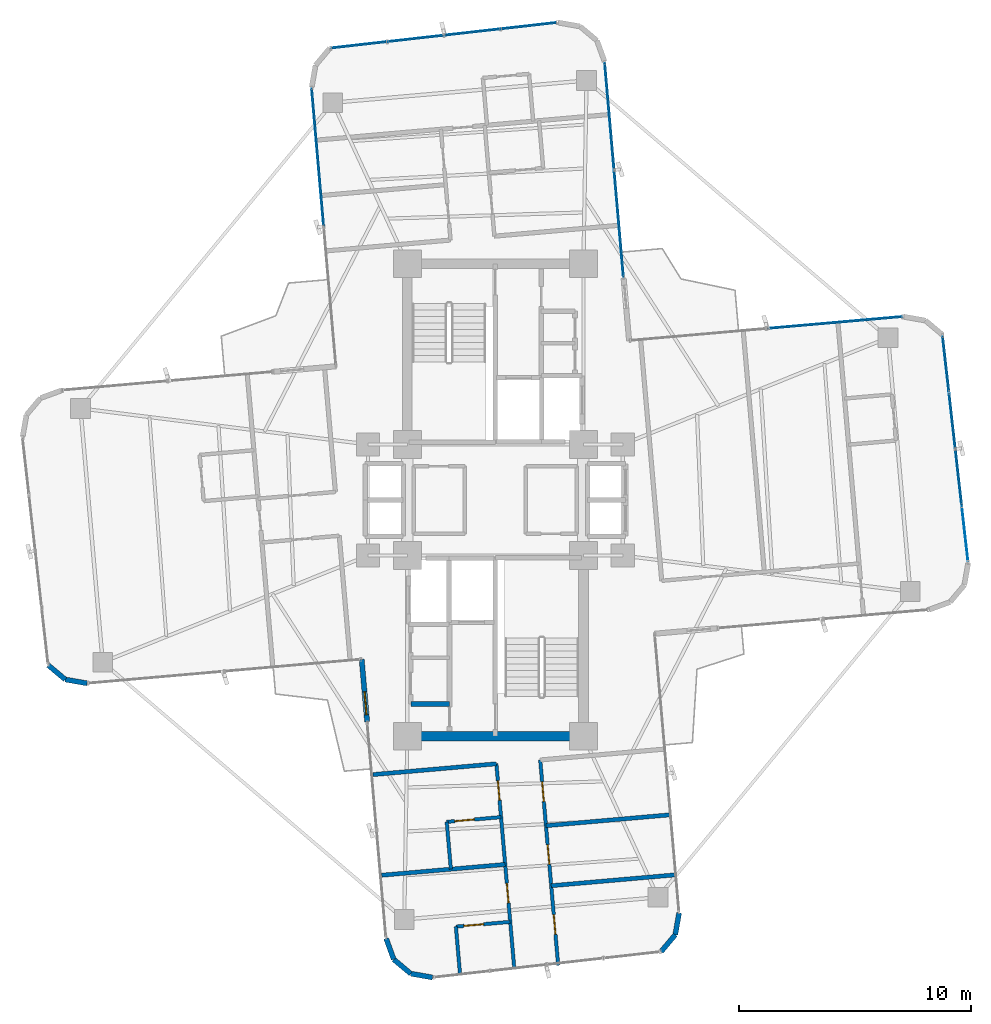
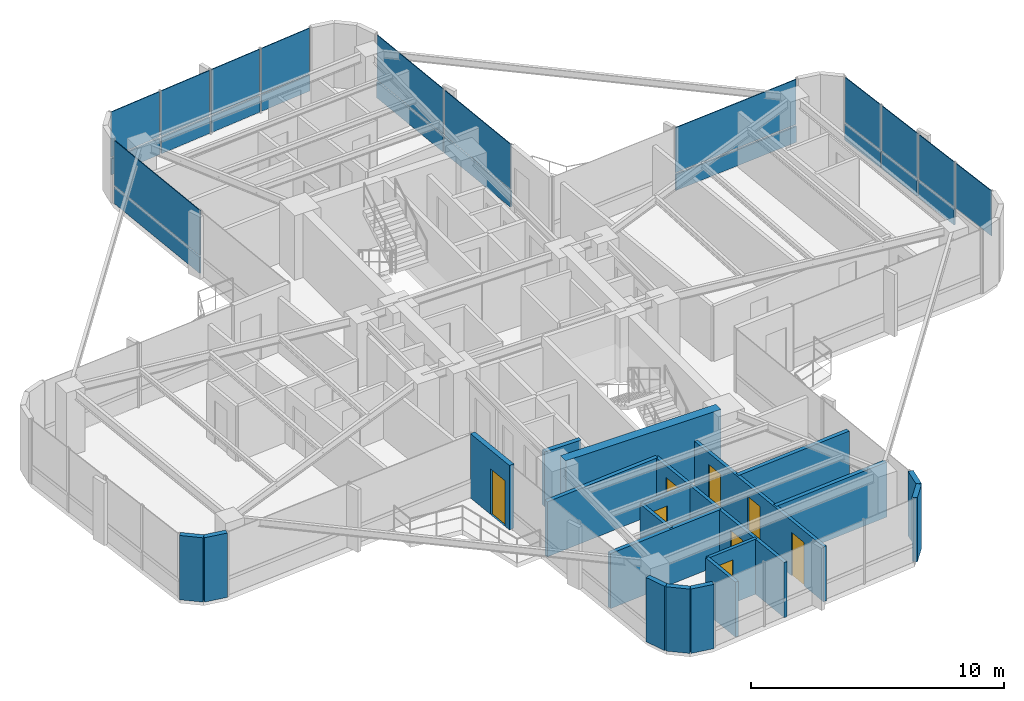
# One storey, part 20 of 24: 23 plates, 20 walls, 8 doors, 8 openings, 5 elements without a shape of their own.
"""IFC4 building model written with IfcOpenShell, lengths in metres."""

from ifc_helpers import new_model, si_unit, direction, frame, frame_2d, origin, origin_2d, place, context, subcontext, project, spatial, rectangle, extrude, source, transform, mapped, material, layer, layer_set, type_object, element, fill, aggregate, save


model = new_model("IFC4")

# Units and contexts
model_context = context("Model", 3, precision=1e-05, world=origin(), true_north=direction((0.0, 1.0)))
body_context = subcontext(model_context, "Body", "Model", "MODEL_VIEW")
ifc_project = project(units=[si_unit("LENGTHUNIT", "METRE"), si_unit("AREAUNIT", "SQUARE_METRE"), si_unit("VOLUMEUNIT", "CUBIC_METRE"), si_unit("PLANEANGLEUNIT", "RADIAN"), si_unit("MASSUNIT", "GRAM", prefix="KILO")], contexts=[model_context])

# Site, building, storey
site_placement = place(None, origin())
site = spatial("IfcSite", under=ifc_project, at=site_placement, CompositionType="ELEMENT")
building_placement = place(site_placement, origin())
building = spatial("IfcBuilding", under=site, at=building_placement, Name="Sahyath Konkavel Grand Hotel", CompositionType="ELEMENT")
storey_placement = place(building_placement, frame((0.0, 0.0, 181.89990234375)))
storey = spatial("IfcBuildingStorey", under=building, at=storey_placement, Name="L50", CompositionType="ELEMENT", Elevation=181.89990234375)

# Curtain wall, plates
ifc_material_1 = material(Name="Anodised Bronze Aluminium & Low-E Glazing", Category="aluminium")
curtain_wall_type = type_object("IfcCurtainWallType", Name="CW-ZONE3", PredefinedType="NOTDEFINED", material=ifc_material_1)
curtain_wall_1_placement = place(storey_placement, origin())
curtain_wall_1 = element("IfcCurtainWall", 1, at=curtain_wall_1_placement, inside=storey, type_object=curtain_wall_type, Name="L50 Unitised Curtain Wall F4", PredefinedType="NOTDEFINED")
ifc_material_2 = material(Name="Warm Buff Sandstone Cladding", Category="masonry")
ifc_layer_1 = layer(ifc_material_2, 0.074951171875)
ifc_layer_set_1 = layer_set([ifc_layer_1], Name="Warm Buff Sandstone Cladding")
plate_type_1 = type_object("IfcPlateType", Name="PNL-SPANDREL-STONE", PredefinedType="SHEET", material=ifc_layer_set_1)
shared_shape_1 = source(origin(), body_context, "Body", "SweptSolid", [
    extrude(rectangle(XDim=2.382080078125, YDim=0.074951171875, at=origin_2d()), origin(), (0.0, 0.0, 1.0), 0.77001953125),
])
plate_1_placement = place(storey_placement, frame((19.99755859375, 0.978515625, 0.0400390625), z_axis=(0.0, 0.0, 1.0), x_axis=(-0.111989252568, 0.993709417943, 0.0)))
plate_1 = element("IfcPlate", 2, at=plate_1_placement, type_object=plate_type_1, Name="L50 Sandstone Relief Spandrel Panel F4-1", PredefinedType="SHEET", context=body_context, shape_type="MappedRepresentation", body=[
    mapped(shared_shape_1, transform((0.0, 0.0, 0.0), scale=1.0)),
])
plate_2_placement = place(storey_placement, frame((19.7216796875, 3.425048828125, 0.0400390625), z_axis=(0.0, 0.0, 1.0), x_axis=(-0.111989252568, 0.993709417943, 0.0)))
plate_2 = element("IfcPlate", 3, at=plate_2_placement, type_object=plate_type_1, Name="L50 Sandstone Relief Spandrel Panel F4-2", PredefinedType="SHEET", context=body_context, shape_type="MappedRepresentation", body=[
    mapped(shared_shape_1, transform((0.0, 0.0, 0.0), scale=1.0)),
])
plate_3_placement = place(storey_placement, frame((19.446044921875, 5.87158203125, 0.0400390625), z_axis=(0.0, 0.0, 1.0), x_axis=(-0.111989252568, 0.993709417943, 0.0)))
plate_3 = element("IfcPlate", 4, at=plate_3_placement, type_object=plate_type_1, Name="L50 Sandstone Relief Spandrel Panel F4-3", PredefinedType="SHEET", context=body_context, shape_type="MappedRepresentation", body=[
    mapped(shared_shape_1, transform((0.0, 0.0, 0.0), scale=1.0)),
])

curtain_wall_2_placement = place(storey_placement, origin())
curtain_wall_2 = element("IfcCurtainWall", 5, at=curtain_wall_2_placement, inside=storey, type_object=curtain_wall_type, Name="L50 Unitised Curtain Wall F12", PredefinedType="NOTDEFINED")
plate_4_placement = place(storey_placement, frame((1.45068359375, 20.47265625, 0.0400390625), z_axis=(0.0, 0.0, 1.0), x_axis=(-0.993707463211, -0.112006596052, 0.0)))
plate_4 = element("IfcPlate", 6, at=plate_4_placement, type_object=plate_type_1, Name="L50 Sandstone Relief Spandrel Panel F12-0", PredefinedType="SHEET", context=body_context, shape_type="MappedRepresentation", body=[
    mapped(shared_shape_1, transform((0.0, 0.0, 0.0), scale=1.0)),
])
plate_5_placement = place(storey_placement, frame((-0.995849609375, 20.197021484375, 0.0400390625), z_axis=(0.0, 0.0, 1.0), x_axis=(-0.993707463211, -0.112006596052, 0.0)))
plate_5 = element("IfcPlate", 7, at=plate_5_placement, type_object=plate_type_1, Name="L50 Sandstone Relief Spandrel Panel F12-1", PredefinedType="SHEET", context=body_context, shape_type="MappedRepresentation", body=[
    mapped(shared_shape_1, transform((0.0, 0.0, 0.0), scale=1.0)),
])
plate_6_placement = place(storey_placement, frame((-3.4423828125, 19.921142578125, 0.0400390625), z_axis=(0.0, 0.0, 1.0), x_axis=(-0.993707463211, -0.112006596052, 0.0)))
plate_6 = element("IfcPlate", 8, at=plate_6_placement, type_object=plate_type_1, Name="L50 Sandstone Relief Spandrel Panel F12-2", PredefinedType="SHEET", context=body_context, shape_type="MappedRepresentation", body=[
    mapped(shared_shape_1, transform((0.0, 0.0, 0.0), scale=1.0)),
])
plate_7_placement = place(storey_placement, frame((-5.888916015625, 19.6455078125, 0.0400390625), z_axis=(0.0, 0.0, 1.0), x_axis=(-0.993707463211, -0.112006596052, 0.0)))
plate_7 = element("IfcPlate", 9, at=plate_7_placement, type_object=plate_type_1, Name="L50 Sandstone Relief Spandrel Panel F12-3", PredefinedType="SHEET", context=body_context, shape_type="MappedRepresentation", body=[
    mapped(shared_shape_1, transform((0.0, 0.0, 0.0), scale=1.0)),
])

# Curtain wall, plate
curtain_wall_3_placement = place(storey_placement, origin())
curtain_wall_3 = element("IfcCurtainWall", 10, at=curtain_wall_3_placement, inside=storey, type_object=curtain_wall_type, Name="L50 Unitised Curtain Wall F7", PredefinedType="NOTDEFINED")
shared_shape_2 = source(origin(), body_context, "Body", "SweptSolid", [
    extrude(rectangle(XDim=5.830078125, YDim=0.074951171875, at=origin_2d()), origin(), (0.0, 0.0, 1.0), 0.77001953125),
])
plate_8_placement = place(storey_placement, frame((14.6435546875, 7.655517578125, 0.0400390625), z_axis=(0.0, 0.0, 1.0), x_axis=(-0.996194698092, -0.087155742748, 0.0)))
plate_8 = element("IfcPlate", 11, at=plate_8_placement, type_object=plate_type_1, Name="L50 Sandstone Relief Spandrel Panel F7-0", PredefinedType="SHEET", context=body_context, shape_type="MappedRepresentation", body=[
    mapped(shared_shape_2, transform((0.0, 0.0, 0.0), scale=1.0)),
])

# Curtain wall, plates
curtain_wall_4_placement = place(storey_placement, origin())
curtain_wall_4 = element("IfcCurtainWall", 12, at=curtain_wall_4_placement, inside=storey, type_object=curtain_wall_type, Name="L50 Unitised Curtain Wall F8", PredefinedType="NOTDEFINED")
shared_shape_3 = source(origin(), body_context, "Body", "SweptSolid", [
    extrude(rectangle(XDim=4.580078125, YDim=0.074951171875, at=origin_2d()), origin(), (0.0, 0.0, 1.0), 0.77001953125),
])
plate_9_placement = place(storey_placement, frame((5.33056640625, 11.929931640625, 0.0400390625), z_axis=(0.0, 0.0, 1.0), x_axis=(-0.087155742748, 0.996194698092, 0.0)))
plate_9 = element("IfcPlate", 13, at=plate_9_placement, type_object=plate_type_1, Name="L50 Sandstone Relief Spandrel Panel F8-0", PredefinedType="SHEET", context=body_context, shape_type="MappedRepresentation", body=[
    mapped(shared_shape_3, transform((0.0, 0.0, 0.0), scale=1.0)),
])
plate_10_placement = place(storey_placement, frame((4.92431640625, 16.572265625, 0.0400390625), z_axis=(0.0, 0.0, 1.0), x_axis=(-0.087155742748, 0.996194698092, 0.0)))
plate_10 = element("IfcPlate", 14, at=plate_10_placement, type_object=plate_type_1, Name="L50 Sandstone Relief Spandrel Panel F8-1", PredefinedType="SHEET", context=body_context, shape_type="MappedRepresentation", body=[
    mapped(shared_shape_3, transform((0.0, 0.0, 0.0), scale=1.0)),
])

# Curtain wall, plate
curtain_wall_5_placement = place(storey_placement, origin())
curtain_wall_5 = element("IfcCurtainWall", 15, at=curtain_wall_5_placement, inside=storey, type_object=curtain_wall_type, Name="L50 Unitised Curtain Wall F15", PredefinedType="NOTDEFINED")
shared_shape_4 = source(origin(), body_context, "Body", "SweptSolid", [
    extrude(rectangle(XDim=5.929931640625, YDim=0.074951171875, at=origin_2d()), origin(), (0.0, 0.0, 1.0), 0.77001953125),
])
plate_11_placement = place(storey_placement, frame((-7.66845703125, 14.79296875, 0.0400390625), z_axis=(0.0, 0.0, 1.0), x_axis=(0.087155742748, -0.996194698092, 0.0)))
plate_11 = element("IfcPlate", 16, at=plate_11_placement, type_object=plate_type_1, Name="L50 Sandstone Relief Spandrel Panel F15-0", PredefinedType="SHEET", context=body_context, shape_type="MappedRepresentation", body=[
    mapped(shared_shape_4, transform((0.0, 0.0, 0.0), scale=1.0)),
])

# Plate
ifc_material_3 = material(Name="Low-E Solar Control Double Glazing", Category="glass")
ifc_layer_2 = layer(ifc_material_3, 0.035888671875)
ifc_layer_set_2 = layer_set([ifc_layer_2], Name="Low-E Solar Control Double Glazing")
plate_type_2 = type_object("IfcPlateType", Name="PNL-VISION-LOWE", PredefinedType="CURTAIN_PANEL", material=ifc_layer_set_2)
shared_shape_5 = source(origin(), body_context, "Body", "SweptSolid", [
    extrude(rectangle(XDim=2.382080078125, YDim=0.035888671875, at=origin_2d()), origin(), (0.0, 0.0, 1.0), 2.179931640625),
])
plate_12_placement = place(storey_placement, frame((20.2734375, -1.468017578125, 0.89013671875), z_axis=(0.0, 0.0, 1.0), x_axis=(-0.111989252568, 0.993709417943, 0.0)))
plate_12 = element("IfcPlate", 17, at=plate_12_placement, type_object=plate_type_2, Name="L50 Low-E Vision Glazing Panel F4-0", PredefinedType="CURTAIN_PANEL", context=body_context, shape_type="MappedRepresentation", body=[
    mapped(shared_shape_5, transform((0.0, 0.0, 0.0), scale=1.0)),
])

plate_13_placement = place(storey_placement, frame((19.99755859375, 0.978515625, 0.89013671875), z_axis=(0.0, 0.0, 1.0), x_axis=(-0.111989252568, 0.993709417943, 0.0)))
plate_13 = element("IfcPlate", 18, at=plate_13_placement, type_object=plate_type_2, Name="L50 Low-E Vision Glazing Panel F4-1", PredefinedType="CURTAIN_PANEL", context=body_context, shape_type="MappedRepresentation", body=[
    mapped(shared_shape_5, transform((0.0, 0.0, 0.0), scale=1.0)),
])

plate_14_placement = place(storey_placement, frame((19.7216796875, 3.425048828125, 0.89013671875), z_axis=(0.0, 0.0, 1.0), x_axis=(-0.111989252568, 0.993709417943, 0.0)))
plate_14 = element("IfcPlate", 19, at=plate_14_placement, type_object=plate_type_2, Name="L50 Low-E Vision Glazing Panel F4-2", PredefinedType="CURTAIN_PANEL", context=body_context, shape_type="MappedRepresentation", body=[
    mapped(shared_shape_5, transform((0.0, 0.0, 0.0), scale=1.0)),
])

plate_15_placement = place(storey_placement, frame((19.446044921875, 5.87158203125, 0.89013671875), z_axis=(0.0, 0.0, 1.0), x_axis=(-0.111989252568, 0.993709417943, 0.0)))
plate_15 = element("IfcPlate", 20, at=plate_15_placement, type_object=plate_type_2, Name="L50 Low-E Vision Glazing Panel F4-3", PredefinedType="CURTAIN_PANEL", context=body_context, shape_type="MappedRepresentation", body=[
    mapped(shared_shape_5, transform((0.0, 0.0, 0.0), scale=1.0)),
])

aggregate(curtain_wall_1, [plate_12, plate_1, plate_13, plate_2, plate_14, plate_3, plate_15])

plate_16_placement = place(storey_placement, frame((1.45068359375, 20.47265625, 0.89013671875), z_axis=(0.0, 0.0, 1.0), x_axis=(-0.993707463211, -0.112006596052, 0.0)))
plate_16 = element("IfcPlate", 21, at=plate_16_placement, type_object=plate_type_2, Name="L50 Low-E Vision Glazing Panel F12-0", PredefinedType="CURTAIN_PANEL", context=body_context, shape_type="MappedRepresentation", body=[
    mapped(shared_shape_5, transform((0.0, 0.0, 0.0), scale=1.0)),
])

plate_17_placement = place(storey_placement, frame((-0.995849609375, 20.197021484375, 0.89013671875), z_axis=(0.0, 0.0, 1.0), x_axis=(-0.993707463211, -0.112006596052, 0.0)))
plate_17 = element("IfcPlate", 22, at=plate_17_placement, type_object=plate_type_2, Name="L50 Low-E Vision Glazing Panel F12-1", PredefinedType="CURTAIN_PANEL", context=body_context, shape_type="MappedRepresentation", body=[
    mapped(shared_shape_5, transform((0.0, 0.0, 0.0), scale=1.0)),
])

plate_18_placement = place(storey_placement, frame((-3.4423828125, 19.921142578125, 0.89013671875), z_axis=(0.0, 0.0, 1.0), x_axis=(-0.993707463211, -0.112006596052, 0.0)))
plate_18 = element("IfcPlate", 23, at=plate_18_placement, type_object=plate_type_2, Name="L50 Low-E Vision Glazing Panel F12-2", PredefinedType="CURTAIN_PANEL", context=body_context, shape_type="MappedRepresentation", body=[
    mapped(shared_shape_5, transform((0.0, 0.0, 0.0), scale=1.0)),
])

plate_19_placement = place(storey_placement, frame((-5.888916015625, 19.6455078125, 0.89013671875), z_axis=(0.0, 0.0, 1.0), x_axis=(-0.993707463211, -0.112006596052, 0.0)))
plate_19 = element("IfcPlate", 24, at=plate_19_placement, type_object=plate_type_2, Name="L50 Low-E Vision Glazing Panel F12-3", PredefinedType="CURTAIN_PANEL", context=body_context, shape_type="MappedRepresentation", body=[
    mapped(shared_shape_5, transform((0.0, 0.0, 0.0), scale=1.0)),
])

aggregate(curtain_wall_2, [plate_4, plate_16, plate_5, plate_17, plate_6, plate_18, plate_7, plate_19])

shared_shape_6 = source(origin(), body_context, "Body", "SweptSolid", [
    extrude(rectangle(XDim=5.830078125, YDim=0.035888671875, at=origin_2d()), origin(), (0.0, 0.0, 1.0), 2.179931640625),
])
plate_20_placement = place(storey_placement, frame((14.6435546875, 7.655517578125, 0.89013671875), z_axis=(0.0, 0.0, 1.0), x_axis=(-0.996194698092, -0.087155742748, 0.0)))
plate_20 = element("IfcPlate", 25, at=plate_20_placement, type_object=plate_type_2, Name="L50 Low-E Vision Glazing Panel F7-0", PredefinedType="CURTAIN_PANEL", context=body_context, shape_type="MappedRepresentation", body=[
    mapped(shared_shape_6, transform((0.0, 0.0, 0.0), scale=1.0)),
])

aggregate(curtain_wall_3, [plate_8, plate_20])

shared_shape_7 = source(origin(), body_context, "Body", "SweptSolid", [
    extrude(rectangle(XDim=4.580078125, YDim=0.035888671875, at=origin_2d()), origin(), (0.0, 0.0, 1.0), 2.179931640625),
])
plate_21_placement = place(storey_placement, frame((5.33056640625, 11.929931640625, 0.89013671875), z_axis=(0.0, 0.0, 1.0), x_axis=(-0.087155742748, 0.996194698092, 0.0)))
plate_21 = element("IfcPlate", 26, at=plate_21_placement, type_object=plate_type_2, Name="L50 Low-E Vision Glazing Panel F8-0", PredefinedType="CURTAIN_PANEL", context=body_context, shape_type="MappedRepresentation", body=[
    mapped(shared_shape_7, transform((0.0, 0.0, 0.0), scale=1.0)),
])

plate_22_placement = place(storey_placement, frame((4.92431640625, 16.572265625, 0.89013671875), z_axis=(0.0, 0.0, 1.0), x_axis=(-0.087155742748, 0.996194698092, 0.0)))
plate_22 = element("IfcPlate", 27, at=plate_22_placement, type_object=plate_type_2, Name="L50 Low-E Vision Glazing Panel F8-1", PredefinedType="CURTAIN_PANEL", context=body_context, shape_type="MappedRepresentation", body=[
    mapped(shared_shape_7, transform((0.0, 0.0, 0.0), scale=1.0)),
])

aggregate(curtain_wall_4, [plate_9, plate_21, plate_10, plate_22])

shared_shape_8 = source(origin(), body_context, "Body", "SweptSolid", [
    extrude(rectangle(XDim=5.929931640625, YDim=0.035888671875, at=origin_2d()), origin(), (0.0, 0.0, 1.0), 2.179931640625),
])
plate_23_placement = place(storey_placement, frame((-7.66845703125, 14.79296875, 0.89013671875), z_axis=(0.0, 0.0, 1.0), x_axis=(0.087155742748, -0.996194698092, 0.0)))
plate_23 = element("IfcPlate", 28, at=plate_23_placement, type_object=plate_type_2, Name="L50 Low-E Vision Glazing Panel F15-0", PredefinedType="CURTAIN_PANEL", context=body_context, shape_type="MappedRepresentation", body=[
    mapped(shared_shape_8, transform((0.0, 0.0, 0.0), scale=1.0)),
])

aggregate(curtain_wall_5, [plate_11, plate_23])

# Walls
ifc_material_4 = material(Name="Concrete C50/60", Category="concrete")
ifc_layer_3 = layer(ifc_material_4, 0.419921875)
ifc_layer_set_3 = layer_set([ifc_layer_3], Name="Concrete C50/60")
wall_type_1 = type_object("IfcWallType", Name="CWALL-420", PredefinedType="SHEAR", material=ifc_layer_set_3)
wall_1_placement = place(storey_placement, frame((-3.550048828125, -10.199951171875, 0.0), z_axis=(0.0, 0.0, 1.0), x_axis=(1.0, 0.0, 0.0)))
element("IfcWall", 29, at=wall_1_placement, inside=storey, type_object=wall_type_1, Name="L50 South Core Shear Wall S", PredefinedType="SHEAR", context=body_context, shape_type="SweptSolid", body=[
    extrude(rectangle(XDim=7.10009765625, YDim=0.419921875, at=frame_2d((3.550048828125, 0.0))), origin(), (0.0, 0.0, 1.0), 3.110107421875),
])
ifc_material_5 = material(Name="Warm Buff Sandstone Insulated Concrete C40/50", Category="masonry")
ifc_layer_4 = layer(ifc_material_5, 0.219970703125)
ifc_layer_set_4 = layer_set([ifc_layer_4], Name="Warm Buff Sandstone Insulated Concrete C40/50")
wall_type_2 = type_object("IfcWallType", Name="WLL-BALC-THRESH", PredefinedType="STANDARD", material=ifc_layer_set_4)
wall_2_placement = place(storey_placement, frame((-19.3037109375, -7.134521484375, 0.0), z_axis=(0.0, 0.0, 1.0), x_axis=(0.766001159887, -0.642839189107, 0.0)))
element("IfcWall", 30, at=wall_2_placement, inside=storey, type_object=wall_type_2, Name="L50 Rounded Corner Sandstone Pier 21", PredefinedType="STANDARD", context=body_context, shape_type="SweptSolid", body=[
    extrude(rectangle(XDim=0.95751953125, YDim=0.219970703125, at=frame_2d((0.478759765625, 0.0))), origin(), (0.0, 0.0, 1.0), 3.110107421875),
])
wall_3_placement = place(storey_placement, frame((-18.5703125, -7.75, 0.0), z_axis=(0.0, 0.0, 1.0), x_axis=(0.984770724397, -0.173858046606, 0.0)))
element("IfcWall", 31, at=wall_3_placement, inside=storey, type_object=wall_type_2, Name="L50 Rounded Corner Sandstone Pier 22", PredefinedType="STANDARD", context=body_context, shape_type="SweptSolid", body=[
    extrude(rectangle(XDim=0.957763671875, YDim=0.219970703125, at=frame_2d((0.47900390625, 0.0))), origin(), (0.0, 0.0, 1.0), 3.110107421875),
])

# Wall, opening, door
wall_4_placement = place(storey_placement, frame((-5.7724609375, -6.87939453125, 0.0), z_axis=(0.0, 0.0, 1.0), x_axis=(0.087168071984, -0.996193619346, 0.0)))
wall_4 = element("IfcWall", 32, at=wall_4_placement, inside=storey, type_object=wall_type_2, Name="L50 Winter-Garden Threshold Wall 24", PredefinedType="STANDARD", context=body_context, shape_type="SweptSolid", body=[
    extrude(rectangle(XDim=2.699951171875, YDim=0.219970703125, at=frame_2d((1.35009765625, 0.0))), origin(), (0.0, 0.0, 1.0), 3.110107421875),
])
opening_1_placement = place(wall_4_placement, frame((1.39990234375, 0.0, 0.0)))
opening_1 = element("IfcOpeningElement", 33, at=opening_1_placement, cuts=wall_4, Name="Opening D-TR1", PredefinedType="OPENING", context=body_context, shape_type="SweptSolid", body=[
    extrude(rectangle(XDim=1.0, YDim=2.199951171875, at=frame_2d((0.5, 1.10009765625))), frame((0.0, 0.1201171875, 0.0), z_axis=(0.0, -1.0, 0.0), x_axis=(1.0, 0.0, 0.0)), (0.0, 0.0, 1.0), 0.239990234375),
])
door_type_1 = type_object("IfcDoorType", Name="DR-TERRACE-1000", OperationType="NOTDEFINED", PredefinedType="DOOR", material=ifc_material_1)
shared_shape_9 = source(origin(), body_context, "Body", "SweptSolid", [
    extrude(rectangle(XDim=1.0, YDim=0.050048828125, at=origin_2d()), origin(), (0.0, 0.0, 1.0), 2.199951171875),
])
door_1_placement = place(opening_1_placement, frame((0.5, 0.0, 0.0)))
door_1 = element("IfcDoor", 34, at=door_1_placement, inside=storey, type_object=door_type_1, Name="L50 Winter-Garden Terrace Door 24", OperationType="SINGLE_SWING_LEFT", OverallHeight=2.199951171875, OverallWidth=1.0, PredefinedType="DOOR", context=body_context, shape_type="MappedRepresentation", body=[
    mapped(shared_shape_9, transform((0.0, 0.0, 0.0), scale=1.0)),
])
fill(opening_1, door_1)

# Walls
wall_5_placement = place(storey_placement, frame((-4.7177734375, -18.93310546875, 0.0), z_axis=(0.0, 0.0, 1.0), x_axis=(0.34188635151, -0.939741306239, 0.0)))
element("IfcWall", 35, at=wall_5_placement, inside=storey, type_object=wall_type_2, Name="L50 Rounded Corner Sandstone Pier 25", PredefinedType="STANDARD", context=body_context, shape_type="SweptSolid", body=[
    extrude(rectangle(XDim=0.95751953125, YDim=0.219970703125, at=frame_2d((0.478759765625, 0.0))), origin(), (0.0, 0.0, 1.0), 3.110107421875),
])
for number, where, z_axis, x_axis, name in (
    (36, (-4.390380859375, -19.8330078125, 0.0), (0.0, 0.0, 1.0), (0.765980978054, -0.642863236823, 0.0), "L50 Rounded Corner Sandstone Pier 26"),
    (37, (-3.65673828125, -20.44873046875, 0.0), (0.0, 0.0, 1.0), (0.984814340885, -0.173610811841, 0.0), "L50 Rounded Corner Sandstone Pier 27"),
):
    element("IfcWall", number, at=place(storey_placement, frame(where, z_axis=z_axis, x_axis=x_axis)), inside=storey, type_object=wall_type_2, Name=name, PredefinedType="STANDARD", context=body_context, shape_type="SweptSolid", body=[
        extrude(rectangle(XDim=0.957763671875, YDim=0.219970703125, at=frame_2d((0.47900390625, 0.0))), origin(), (0.0, 0.0, 1.0), 3.110107421875),
    ])
for number, where, z_axis, x_axis, name in (
    (38, (7.152099609375, -19.5029296875, 0.0), (0.0, 0.0, 1.0), (0.642713642115, 0.766106503196, 0.0), "L50 Rounded Corner Sandstone Pier 29"),
    (39, (7.767578125, -18.769287109375, 0.0), (0.0, 0.0, 1.0), (0.173654409999, 0.984806654064, 0.0), "L50 Rounded Corner Sandstone Pier 30"),
):
    element("IfcWall", number, at=place(storey_placement, frame(where, z_axis=z_axis, x_axis=x_axis)), inside=storey, type_object=wall_type_2, Name=name, PredefinedType="STANDARD", context=body_context, shape_type="SweptSolid", body=[
        extrude(rectangle(XDim=0.95751953125, YDim=0.219970703125, at=frame_2d((0.478759765625, 0.0))), origin(), (0.0, 0.0, 1.0), 3.110107421875),
    ])
ifc_material_6 = material(Name="Concrete C40/50", Category="concrete")
ifc_layer_5 = layer(ifc_material_6, 0.199951171875)
ifc_layer_set_5 = layer_set([ifc_layer_5], Name="Concrete C40/50")
wall_type_3 = type_object("IfcWallType", Name="WLL-CORE-200", PredefinedType="SOLIDWALL", material=ifc_layer_set_5)
wall_6_placement = place(storey_placement, frame((-3.64990234375, -8.81005859375, 0.0), z_axis=(0.0, 0.0, 1.0), x_axis=(1.0, 0.0, 0.0)))
element("IfcWall", 40, at=wall_6_placement, inside=storey, type_object=wall_type_3, Name="L50 Partition SC-REC-S", PredefinedType="SOLIDWALL", context=body_context, shape_type="SweptSolid", body=[
    extrude(rectangle(XDim=1.669921875, YDim=0.199951171875, at=frame_2d((0.8349609375, 0.0))), origin(), (0.0, 0.0, 1.0), 2.66015625),
])
ifc_material_7 = material(Name="Twin-Stud Acoustic Gypsum Plasterboard Partition")
ifc_layer_6 = layer(ifc_material_7, 0.179931640625)
ifc_layer_set_6 = layer_set([ifc_layer_6], Name="Twin-Stud Acoustic Gypsum Plasterboard Partition")
wall_type_4 = type_object("IfcWallType", Name="WLL-DEMISE-180", PredefinedType="PARTITIONING", material=ifc_layer_set_6)
for number, where, z_axis, x_axis, name in (
    (41, (-5.286865234375, -11.85595703125, 0.0), (0.0, 0.0, 1.0), (0.996194212812, 0.087161289348, 0.0), "L50 Partition S-INR"),
    (42, (2.183837890625, -14.061279296875, 0.0), (0.0, 0.0, 1.0), (0.996194212812, 0.087161289348, 0.0), "L50 Partition S-S1L-DEM"),
    (43, (2.41064453125, -16.6533203125, 0.0), (0.0, 0.0, 1.0), (0.996194212812, 0.087161289348, 0.0), "L50 Partition S-S2L-DEM"),
    (44, (0.4228515625, -15.73388671875, 0.0), (0.0, 0.0, 1.0), (-0.996194212812, -0.087161289348, 0.0), "L50 Partition S-S1R-DEM"),
):
    element("IfcWall", number, at=place(storey_placement, frame(where, z_axis=z_axis, x_axis=x_axis)), inside=storey, type_object=wall_type_4, Name=name, PredefinedType="PARTITIONING", context=body_context, shape_type="SweptSolid", body=[
        extrude(rectangle(XDim=5.349853515625, YDim=0.179931640625, at=frame_2d((2.6748046875, 0.0))), origin(), (0.0, 0.0, 1.0), 2.66015625),
    ])

# Wall, openings, doors
ifc_material_8 = material(Name="Fire-Rated Gypsum Plasterboard Partition")
ifc_layer_7 = layer(ifc_material_8, 0.14990234375)
ifc_layer_set_7 = layer_set([ifc_layer_7], Name="Fire-Rated Gypsum Plasterboard Partition")
wall_type_5 = type_object("IfcWallType", Name="WLL-PART-150", PredefinedType="PARTITIONING", material=ifc_layer_set_7)
wall_7_placement = place(storey_placement, frame((1.935546875, -11.22412109375, 0.0), z_axis=(0.0, 0.0, 1.0), x_axis=(0.087151636982, -0.996195057291, 0.0)))
wall_7 = element("IfcWall", 45, at=wall_7_placement, inside=storey, type_object=wall_type_5, Name="L50 Partition S-CL", PredefinedType="PARTITIONING", context=body_context, shape_type="SweptSolid", body=[
    extrude(rectangle(XDim=8.89990234375, YDim=0.14990234375, at=frame_2d((4.449951171875, 0.0))), origin(), (0.0, 0.0, 1.0), 2.66015625),
])
opening_2_placement = place(wall_7_placement, frame((0.948974609375, 0.0, 0.0)))
opening_2 = element("IfcOpeningElement", 46, at=opening_2_placement, cuts=wall_7, Name="Opening D-F06D", PredefinedType="OPENING", context=body_context, shape_type="SweptSolid", body=[
    extrude(rectangle(XDim=0.85009765625, YDim=2.10009765625, at=frame_2d((0.425048828125, 1.050048828125))), frame((0.0, 0.0849609375, 0.0), z_axis=(0.0, -1.0, 0.0), x_axis=(1.0, 0.0, 0.0)), (0.0, 0.0, 1.0), 0.169921875),
])
opening_3_placement = place(wall_7_placement, frame((3.674072265625, 0.0, 0.0)))
opening_3 = element("IfcOpeningElement", 47, at=opening_3_placement, cuts=wall_7, Name="Opening D-F06D", PredefinedType="OPENING", context=body_context, shape_type="SweptSolid", body=[
    extrude(rectangle(XDim=0.85009765625, YDim=2.10009765625, at=frame_2d((0.425048828125, 1.050048828125))), frame((0.0, 0.0849609375, 0.0), z_axis=(0.0, -1.0, 0.0), x_axis=(1.0, 0.0, 0.0)), (0.0, 0.0, 1.0), 0.169921875),
])
opening_4_placement = place(wall_7_placement, frame((6.699951171875, 0.0, 0.0)))
opening_4 = element("IfcOpeningElement", 48, at=opening_4_placement, cuts=wall_7, Name="Opening D-F06D", PredefinedType="OPENING", context=body_context, shape_type="SweptSolid", body=[
    extrude(rectangle(XDim=0.85009765625, YDim=2.10009765625, at=frame_2d((0.425048828125, 1.050048828125))), frame((0.0, 0.0849609375, 0.0), z_axis=(0.0, -1.0, 0.0), x_axis=(1.0, 0.0, 0.0)), (0.0, 0.0, 1.0), 0.169921875),
])
ifc_material_9 = material(Name="Fire-Rated Shaft Access Door")
door_type_2 = type_object("IfcDoorType", Name="DR-FD60-850", OperationType="NOTDEFINED", PredefinedType="DOOR", material=ifc_material_9)
shared_shape_10 = source(origin(), body_context, "Body", "SweptSolid", [
    extrude(rectangle(XDim=0.85009765625, YDim=0.050048828125, at=origin_2d()), origin(), (0.0, 0.0, 1.0), 2.10009765625),
])
door_2_placement = place(opening_2_placement, frame((0.425048828125, 0.0, 0.0)))
door_2 = element("IfcDoor", 49, at=door_2_placement, inside=storey, type_object=door_type_2, Name="L50 Door S-S1L-D", OperationType="SINGLE_SWING_RIGHT", OverallHeight=2.10009765625, OverallWidth=0.85009765625, PredefinedType="DOOR", context=body_context, shape_type="MappedRepresentation", body=[
    mapped(shared_shape_10, transform((0.0, 0.0, 0.0), scale=1.0)),
])
fill(opening_2, door_2)
door_3_placement = place(opening_3_placement, frame((0.425048828125, 0.0, 0.0)))
door_3 = element("IfcDoor", 50, at=door_3_placement, inside=storey, type_object=door_type_2, Name="L50 Door S-S2L-D", OperationType="SINGLE_SWING_LEFT", OverallHeight=2.10009765625, OverallWidth=0.85009765625, PredefinedType="DOOR", context=body_context, shape_type="MappedRepresentation", body=[
    mapped(shared_shape_10, transform((0.0, 0.0, 0.0), scale=1.0)),
])
fill(opening_3, door_3)
door_4_placement = place(opening_4_placement, frame((0.425048828125, 0.0, 0.0)))
door_4 = element("IfcDoor", 51, at=door_4_placement, inside=storey, type_object=door_type_2, Name="L50 Door S-S3L-D", OperationType="SINGLE_SWING_RIGHT", OverallHeight=2.10009765625, OverallWidth=0.85009765625, PredefinedType="DOOR", context=body_context, shape_type="MappedRepresentation", body=[
    mapped(shared_shape_10, transform((0.0, 0.0, 0.0), scale=1.0)),
])
fill(opening_4, door_4)

wall_8_placement = place(storey_placement, frame((0.042724609375, -11.3896484375, 0.0), z_axis=(0.0, 0.0, 1.0), x_axis=(0.087178860582, -0.996192675273, 0.0)))
wall_8 = element("IfcWall", 52, at=wall_8_placement, inside=storey, type_object=wall_type_5, Name="L50 Partition S-CR", PredefinedType="PARTITIONING", context=body_context, shape_type="SweptSolid", body=[
    extrude(rectangle(XDim=8.89990234375, YDim=0.14990234375, at=frame_2d((4.449951171875, 0.0))), origin(), (0.0, 0.0, 1.0), 2.66015625),
])
opening_5_placement = place(wall_8_placement, frame((0.72998046875, 0.0, 0.0)))
opening_5 = element("IfcOpeningElement", 53, at=opening_5_placement, cuts=wall_8, Name="Opening D-F06D", PredefinedType="OPENING", context=body_context, shape_type="SweptSolid", body=[
    extrude(rectangle(XDim=0.85009765625, YDim=2.10009765625, at=frame_2d((0.425048828125, 1.050048828125))), frame((0.0, 0.0849609375, 0.0), z_axis=(0.0, -1.0, 0.0), x_axis=(1.0, 0.0, 0.0)), (0.0, 0.0, 1.0), 0.169921875),
])
opening_6_placement = place(wall_8_placement, frame((5.180908203125, 0.0, 0.0)))
opening_6 = element("IfcOpeningElement", 54, at=opening_6_placement, cuts=wall_8, Name="Opening D-F06D", PredefinedType="OPENING", context=body_context, shape_type="SweptSolid", body=[
    extrude(rectangle(XDim=0.85009765625, YDim=2.10009765625, at=frame_2d((0.425048828125, 1.050048828125))), frame((0.0, 0.0849609375, 0.0), z_axis=(0.0, -1.0, 0.0), x_axis=(1.0, 0.0, 0.0)), (0.0, 0.0, 1.0), 0.169921875),
])
door_5_placement = place(opening_5_placement, frame((0.425048828125, 0.0, 0.0)))
door_5 = element("IfcDoor", 55, at=door_5_placement, inside=storey, type_object=door_type_2, Name="L50 Door S-S1R-ED", OperationType="SINGLE_SWING_RIGHT", OverallHeight=2.10009765625, OverallWidth=0.85009765625, PredefinedType="DOOR", context=body_context, shape_type="MappedRepresentation", body=[
    mapped(shared_shape_10, transform((0.0, 0.0, 0.0), scale=1.0)),
])
fill(opening_5, door_5)
door_6_placement = place(opening_6_placement, frame((0.425048828125, 0.0, 0.0)))
door_6 = element("IfcDoor", 56, at=door_6_placement, inside=storey, type_object=door_type_2, Name="L50 Door S-S2R-ED", OperationType="SINGLE_SWING_RIGHT", OverallHeight=2.10009765625, OverallWidth=0.85009765625, PredefinedType="DOOR", context=body_context, shape_type="MappedRepresentation", body=[
    mapped(shared_shape_10, transform((0.0, 0.0, 0.0), scale=1.0)),
])
fill(opening_6, door_6)

# Wall, opening, door
wall_9_placement = place(storey_placement, frame((0.244140625, -13.69189453125, 0.0), z_axis=(0.0, 0.0, 1.0), x_axis=(-0.996197656711, -0.087121918963, 0.0)))
wall_9 = element("IfcWall", 57, at=wall_9_placement, inside=storey, type_object=wall_type_5, Name="L50 Partition S-S1R-BS", PredefinedType="PARTITIONING", context=body_context, shape_type="SweptSolid", body=[
    extrude(rectangle(XDim=2.35400390625, YDim=0.14990234375, at=frame_2d((1.177001953125, 0.0))), origin(), (0.0, 0.0, 1.0), 2.66015625),
])
opening_7_placement = place(wall_9_placement, frame((1.154052734375, 0.0, 0.0)))
opening_7 = element("IfcOpeningElement", 58, at=opening_7_placement, cuts=wall_9, Name="Opening D-BT85", PredefinedType="OPENING", context=body_context, shape_type="SweptSolid", body=[
    extrude(rectangle(XDim=0.85009765625, YDim=2.10009765625, at=frame_2d((0.425048828125, 1.050048828125))), frame((0.0, 0.0849609375, 0.0), z_axis=(0.0, -1.0, 0.0), x_axis=(1.0, 0.0, 0.0)), (0.0, 0.0, 1.0), 0.169921875),
])
ifc_material_10 = material(Name="Moisture-Resistant Teak Bathroom Door")
door_type_3 = type_object("IfcDoorType", Name="DR-BATH-850", OperationType="NOTDEFINED", PredefinedType="DOOR", material=ifc_material_10)
door_7_placement = place(opening_7_placement, frame((0.425048828125, 0.0, 0.0)))
door_7 = element("IfcDoor", 59, at=door_7_placement, inside=storey, type_object=door_type_3, Name="L50 Door S-S1R-BD", OperationType="SINGLE_SWING_LEFT", OverallHeight=2.10009765625, OverallWidth=0.85009765625, PredefinedType="DOOR", context=body_context, shape_type="MappedRepresentation", body=[
    mapped(shared_shape_10, transform((0.0, 0.0, 0.0), scale=1.0)),
])
fill(opening_7, door_7)

# Wall
wall_10_placement = place(storey_placement, frame((-2.100830078125, -13.89697265625, 0.0), z_axis=(0.0, 0.0, 1.0), x_axis=(0.087174336889, -0.99619307114, 0.0)))
element("IfcWall", 60, at=wall_10_placement, inside=storey, type_object=wall_type_5, Name="L50 Partition S-S1R-BF", PredefinedType="PARTITIONING", context=body_context, shape_type="SweptSolid", body=[
    extrude(rectangle(XDim=2.050048828125, YDim=0.14990234375, at=frame_2d((1.02490234375, 0.0))), origin(), (0.0, 0.0, 1.0), 2.66015625),
])

# Wall, opening, door
wall_11_placement = place(storey_placement, frame((0.639892578125, -18.21337890625, 0.0), z_axis=(0.0, 0.0, 1.0), x_axis=(-0.996188649846, -0.087224846905, 0.0)))
wall_11 = element("IfcWall", 61, at=wall_11_placement, inside=storey, type_object=wall_type_5, Name="L50 Partition S-S2R-BS", PredefinedType="PARTITIONING", context=body_context, shape_type="SweptSolid", body=[
    extrude(rectangle(XDim=2.35400390625, YDim=0.14990234375, at=frame_2d((1.177001953125, 0.0))), origin(), (0.0, 0.0, 1.0), 2.66015625),
])
opening_8_placement = place(wall_11_placement, frame((1.154052734375, 0.0, 0.0)))
opening_8 = element("IfcOpeningElement", 62, at=opening_8_placement, cuts=wall_11, Name="Opening D-BT85", PredefinedType="OPENING", context=body_context, shape_type="SweptSolid", body=[
    extrude(rectangle(XDim=0.85009765625, YDim=2.10009765625, at=frame_2d((0.425048828125, 1.050048828125))), frame((0.0, 0.0849609375, 0.0), z_axis=(0.0, -1.0, 0.0), x_axis=(1.0, 0.0, 0.0)), (0.0, 0.0, 1.0), 0.169921875),
])
door_8_placement = place(opening_8_placement, frame((0.425048828125, 0.0, 0.0)))
door_8 = element("IfcDoor", 63, at=door_8_placement, inside=storey, type_object=door_type_3, Name="L50 Door S-S2R-BD", OperationType="SINGLE_SWING_LEFT", OverallHeight=2.10009765625, OverallWidth=0.85009765625, PredefinedType="DOOR", context=body_context, shape_type="MappedRepresentation", body=[
    mapped(shared_shape_10, transform((0.0, 0.0, 0.0), scale=1.0)),
])
fill(opening_8, door_8)

# Wall
wall_12_placement = place(storey_placement, frame((-1.705078125, -18.418701171875, 0.0), z_axis=(0.0, 0.0, 1.0), x_axis=(0.087056149438, -0.996203406361, 0.0)))
element("IfcWall", 64, at=wall_12_placement, inside=storey, type_object=wall_type_5, Name="L50 Partition S-S2R-BF", PredefinedType="PARTITIONING", context=body_context, shape_type="SweptSolid", body=[
    extrude(rectangle(XDim=2.050048828125, YDim=0.14990234375, at=frame_2d((1.02490234375, 0.0))), origin(), (0.0, 0.0, 1.0), 2.66015625),
])

save(model, "model.ifc")
